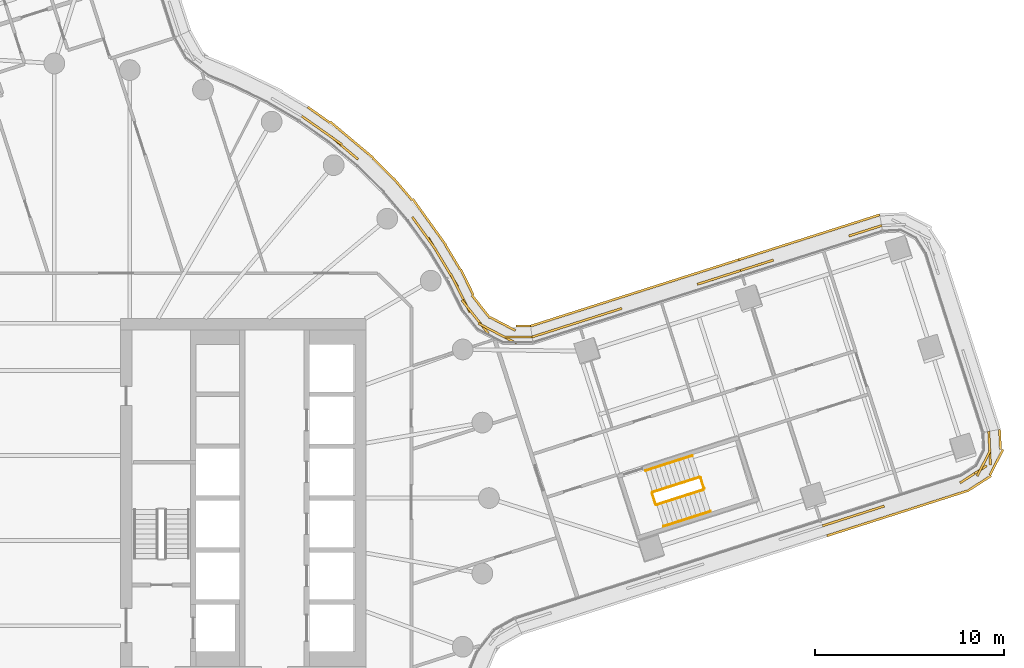
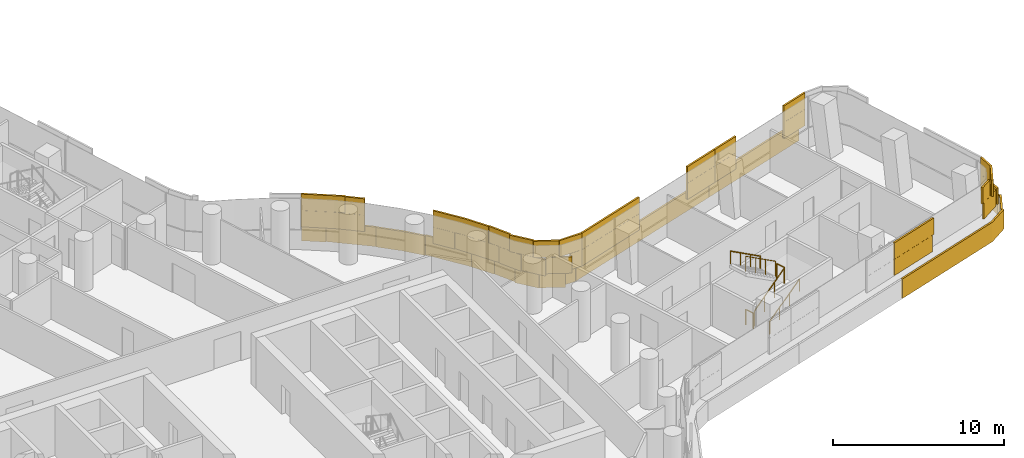
# One storey, part 28 of 30: 6 railings, 4 coverings.
"""IFC4 building model written with IfcOpenShell, lengths in metres."""

from ifc_helpers import new_model, si_unit, direction, frame, origin, origin_2d, place, context, subcontext, project, spatial, rectangle, circle, extrude, material, layer, layer_set, type_object, element, save


model = new_model("IFC4")

# Units and contexts
model_context = context("Model", 3, precision=1e-05, world=origin(), true_north=direction((0.0, 1.0)))
body_context = subcontext(model_context, "Body", "Model", "MODEL_VIEW")
ifc_project = project(units=[si_unit("LENGTHUNIT", "METRE"), si_unit("AREAUNIT", "SQUARE_METRE"), si_unit("VOLUMEUNIT", "CUBIC_METRE"), si_unit("PLANEANGLEUNIT", "RADIAN"), si_unit("MASSUNIT", "GRAM", prefix="KILO")], contexts=[model_context])

# Site, building, storey
site_placement = place(None, origin())
site = spatial("IfcSite", under=ifc_project, at=site_placement, CompositionType="ELEMENT")
building_placement = place(site_placement, origin())
building = spatial("IfcBuilding", under=site, at=building_placement, Name="Tamarind Cross Interchange Tower", CompositionType="ELEMENT")
storey_placement = place(building_placement, frame((0.0, 0.0, 98.5)))
storey = spatial("IfcBuildingStorey", under=building, at=storey_placement, Name="L23", CompositionType="ELEMENT", Elevation=98.5)

# Railings
ifc_material_1 = material(Name="Stair guard")
railing_type_1 = type_object("IfcRailingType", Name="Stair guard", PredefinedType="GUARDRAIL", material=ifc_material_1)
railing_1_placement = place(storey_placement, frame((31.878662109375, -0.353271484375, 0.17041015625)))
element("IfcRailing", 1, at=railing_1_placement, inside=storey, type_object=railing_type_1, Name="L23 ST3 stair guard 1", PredefinedType="GUARDRAIL", context=body_context, shape_type="SweptSolid", body=[
    extrude(circle(Radius=0.02392578125, at=origin_2d()), frame((0.0, 0.0, 1.076171875), z_axis=(0.796426546061, 0.255136052864, 0.548279446322), x_axis=(-0.305078942459, 0.952327065072, 0.0)), (0.0, 0.0, 1.0), 3.10888671875),
    extrude(circle(Radius=0.02099609375, at=origin_2d()), origin(), (0.0, 0.0, 1.0), 1.052001953125),
    extrude(circle(Radius=0.02099609375, at=origin_2d()), frame((0.825439453125, 0.264404296875, 0.568115234375)), (0.0, 0.0, 1.0), 1.052001953125),
    extrude(circle(Radius=0.02099609375, at=origin_2d()), frame((1.650634765625, 0.52880859375, 1.136474609375)), (0.0, 0.0, 1.0), 1.052001953125),
    extrude(circle(Radius=0.02099609375, at=origin_2d()), frame((2.47607421875, 0.793212890625, 1.70458984375)), (0.0, 0.0, 1.0), 1.052001953125),
])
railing_2_placement = place(storey_placement, frame((34.386962890625, 0.502685546875, 1.875)))
element("IfcRailing", 2, at=railing_2_placement, inside=storey, type_object=railing_type_1, Name="L23 ST3 stair guard 2", PredefinedType="GUARDRAIL", context=body_context, shape_type="SweptSolid", body=[
    extrude(circle(Radius=0.02392578125, at=origin_2d()), frame((0.0, 0.0, 1.076171875), z_axis=(-0.304731439649, 0.95243831805, 0.0), x_axis=(-0.95243831805, -0.304731439649, 0.0)), (0.0, 0.0, 1.0), 0.60009765625),
    extrude(circle(Radius=0.02099609375, at=origin_2d()), origin(), (0.0, 0.0, 1.0), 1.052001953125),
    extrude(circle(Radius=0.02099609375, at=origin_2d()), frame((-0.182861328125, 0.571533203125, 0.0)), (0.0, 0.0, 1.0), 1.052001953125),
])
railing_3_placement = place(storey_placement, frame((34.14111328125, 1.1064453125, 2.04541015625)))
element("IfcRailing", 3, at=railing_3_placement, inside=storey, type_object=railing_type_1, Name="L23 ST3 stair guard 3", PredefinedType="GUARDRAIL", context=body_context, shape_type="SweptSolid", body=[
    extrude(circle(Radius=0.02392578125, at=origin_2d()), frame((0.0, 0.0, 1.076171875), z_axis=(-0.796426546061, -0.255136052864, 0.548279446322), x_axis=(0.305078942459, -0.952327065072, 0.0)), (0.0, 0.0, 1.0), 3.10888671875),
    extrude(circle(Radius=0.02099609375, at=origin_2d()), origin(), (0.0, 0.0, 1.0), 1.052001953125),
    extrude(circle(Radius=0.02099609375, at=origin_2d()), frame((-0.825439453125, -0.264404296875, 0.568115234375)), (0.0, 0.0, 1.0), 1.052001953125),
    extrude(circle(Radius=0.02099609375, at=origin_2d()), frame((-1.650634765625, -0.52880859375, 1.136474609375)), (0.0, 0.0, 1.0), 1.052001953125),
    extrude(circle(Radius=0.02099609375, at=origin_2d()), frame((-2.47607421875, -0.793212890625, 1.70458984375)), (0.0, 0.0, 1.0), 1.052001953125),
])
railing_4_placement = place(storey_placement, frame((31.815673828125, -0.321044921875, 0.0)))
element("IfcRailing", 4, at=railing_4_placement, inside=storey, type_object=railing_type_1, Name="L23 ST3 stair guard 4", PredefinedType="GUARDRAIL", context=body_context, shape_type="SweptSolid", body=[
    extrude(circle(Radius=0.02392578125, at=origin_2d()), frame((0.0, 0.0, 1.076171875), z_axis=(-0.304731439649, 0.95243831805, 0.0), x_axis=(-0.95243831805, -0.304731439649, 0.0)), (0.0, 0.0, 1.0), 0.60009765625),
    extrude(circle(Radius=0.02099609375, at=origin_2d()), origin(), (0.0, 0.0, 1.0), 1.052001953125),
    extrude(circle(Radius=0.02099609375, at=origin_2d()), frame((-0.182861328125, 0.571533203125, 0.0)), (0.0, 0.0, 1.0), 1.052001953125),
])
ifc_material_2 = material(Name="Stair handrail")
railing_type_2 = type_object("IfcRailingType", Name="Stair handrail", PredefinedType="HANDRAIL", material=ifc_material_2)
railing_5_placement = place(storey_placement, frame((32.24462890625, -1.49609375, 0.17041015625)))
element("IfcRailing", 5, at=railing_5_placement, inside=storey, type_object=railing_type_2, Name="L23 ST3 stair handrail 1", PredefinedType="HANDRAIL", context=body_context, shape_type="SweptSolid", body=[
    extrude(circle(Radius=0.02392578125, at=origin_2d()), frame((0.0, 0.0, 0.8759765625), z_axis=(0.796426546061, 0.255136052864, 0.548279446322), x_axis=(-0.305078942459, 0.952327065072, 0.0)), (0.0, 0.0, 1.0), 3.10888671875),
    extrude(circle(Radius=0.02099609375, at=origin_2d()), origin(), (0.0, 0.0, 1.0), 0.851806640625),
    extrude(circle(Radius=0.02099609375, at=origin_2d()), frame((0.825439453125, 0.264404296875, 0.568115234375)), (0.0, 0.0, 1.0), 0.851806640625),
    extrude(circle(Radius=0.02099609375, at=origin_2d()), frame((1.650634765625, 0.52880859375, 1.136474609375)), (0.0, 0.0, 1.0), 0.851806640625),
    extrude(circle(Radius=0.02099609375, at=origin_2d()), frame((2.47607421875, 0.793212890625, 1.70458984375)), (0.0, 0.0, 1.0), 0.851806640625),
])
railing_6_placement = place(storey_placement, frame((33.775146484375, 2.249267578125, 2.04541015625)))
element("IfcRailing", 6, at=railing_6_placement, inside=storey, type_object=railing_type_2, Name="L23 ST3 stair handrail 2", PredefinedType="HANDRAIL", context=body_context, shape_type="SweptSolid", body=[
    extrude(circle(Radius=0.02392578125, at=origin_2d()), frame((0.0, 0.0, 0.8759765625), z_axis=(-0.796426546061, -0.255136052864, 0.548279446322), x_axis=(0.305078942459, -0.952327065072, 0.0)), (0.0, 0.0, 1.0), 3.10888671875),
    extrude(circle(Radius=0.02099609375, at=origin_2d()), origin(), (0.0, 0.0, 1.0), 0.851806640625),
    extrude(circle(Radius=0.02099609375, at=origin_2d()), frame((-0.825439453125, -0.264404296875, 0.568115234375)), (0.0, 0.0, 1.0), 0.851806640625),
    extrude(circle(Radius=0.02099609375, at=origin_2d()), frame((-1.650634765625, -0.52880859375, 1.136474609375)), (0.0, 0.0, 1.0), 0.851806640625),
    extrude(circle(Radius=0.02099609375, at=origin_2d()), frame((-2.47607421875, -0.793212890625, 1.70458984375)), (0.0, 0.0, 1.0), 0.851806640625),
])

# Coverings
ifc_material_3 = material(Name="Terracotta", Category="masonry")
ifc_layer = layer(ifc_material_3, 0.1201171875)
ifc_layer_set = layer_set([ifc_layer], Name="Terracotta")
covering_type = type_object("IfcCoveringType", Name="Terracotta baguette screen unit", PredefinedType="MOLDING", material=ifc_layer_set)
covering_1_placement = place(storey_placement, origin())
element("IfcCovering", 7, at=covering_1_placement, inside=storey, type_object=covering_type, Name="SCR-L23-01-00", PredefinedType="MOLDING", context=body_context, shape_type="SweptSolid", body=[
    extrude(rectangle(XDim=0.760009765625, YDim=0.1201171875, at=origin_2d()), frame((43.42529296875, 14.308349609375, 1.404052734375), z_axis=(0.0, 0.0, 1.0), x_axis=(-0.952773264992, -0.303682573614, 0.0)), (0.0, 0.0, 1.0), 1.1669921875),
    extrude(rectangle(XDim=1.075439453125, YDim=0.1201171875, at=origin_2d()), frame((42.560302734375, 14.03271484375, 1.404052734375), z_axis=(0.0, 0.0, 1.0), x_axis=(-0.952773264992, -0.303682573614, 0.0)), (0.0, 0.0, 1.0), 1.1669921875),
    extrude(rectangle(XDim=0.744384765625, YDim=0.1201171875, at=origin_2d()), frame((37.701171875, 12.484130859375, 1.404052734375), z_axis=(0.0, 0.0, 1.0), x_axis=(-0.952773264992, -0.303682573614, 0.0)), (0.0, 0.0, 1.0), 1.1669921875),
    extrude(rectangle(XDim=1.091064453125, YDim=0.1201171875, at=origin_2d()), frame((36.836181640625, 12.208251953125, 1.404052734375), z_axis=(0.0, 0.0, 1.0), x_axis=(-0.952773264992, -0.303682573614, 0.0)), (0.0, 0.0, 1.0), 1.1669921875),
    extrude(rectangle(XDim=1.510009765625, YDim=0.1201171875, at=origin_2d()), frame((43.06787109375, 14.194580078125, 2.5791015625), z_axis=(0.0, 0.0, 1.0), x_axis=(-0.952773264992, -0.303682573614, 0.0)), (0.0, 0.0, 1.0), 1.1669921875),
    extrude(rectangle(XDim=0.325439453125, YDim=0.1201171875, at=origin_2d()), frame((42.203125, 13.9189453125, 2.5791015625), z_axis=(0.0, 0.0, 1.0), x_axis=(-0.952773264992, -0.303682573614, 0.0)), (0.0, 0.0, 1.0), 1.1669921875),
    extrude(rectangle(XDim=1.494384765625, YDim=0.1201171875, at=origin_2d()), frame((37.343994140625, 12.3701171875, 2.5791015625), z_axis=(0.0, 0.0, 1.0), x_axis=(-0.952773264992, -0.303682573614, 0.0)), (0.0, 0.0, 1.0), 1.1669921875),
    extrude(rectangle(XDim=0.341064453125, YDim=0.1201171875, at=origin_2d()), frame((36.47900390625, 12.094482421875, 2.5791015625), z_axis=(0.0, 0.0, 1.0), x_axis=(-0.952773264992, -0.303682573614, 0.0)), (0.0, 0.0, 1.0), 1.1669921875),
    extrude(rectangle(XDim=0.760009765625, YDim=0.1201171875, at=origin_2d()), frame((43.317626953125, 14.876708984375, 0.00390625), z_axis=(0.0, 0.0, 1.0), x_axis=(-0.952773264992, -0.303682573614, 0.0)), (0.0, 0.0, 1.0), 1.39208984375),
    extrude(rectangle(XDim=1.52001953125, YDim=0.1201171875, at=origin_2d()), frame((42.25048828125, 14.53662109375, 0.00390625), z_axis=(0.0, 0.0, 1.0), x_axis=(-0.952773264992, -0.303682573614, 0.0)), (0.0, 0.0, 1.0), 1.39208984375),
    extrude(rectangle(XDim=1.52001953125, YDim=0.1201171875, at=origin_2d()), frame((40.821533203125, 14.0810546875, 0.00390625), z_axis=(0.0, 0.0, 1.0), x_axis=(-0.952773264992, -0.303682573614, 0.0)), (0.0, 0.0, 1.0), 1.39208984375),
    extrude(rectangle(XDim=1.52001953125, YDim=0.1201171875, at=origin_2d()), frame((39.392333984375, 13.62548828125, 0.00390625), z_axis=(0.0, 0.0, 1.0), x_axis=(-0.952773264992, -0.303682573614, 0.0)), (0.0, 0.0, 1.0), 1.39208984375),
    extrude(rectangle(XDim=1.52001953125, YDim=0.1201171875, at=origin_2d()), frame((37.963134765625, 13.169921875, 0.00390625), z_axis=(0.0, 0.0, 1.0), x_axis=(-0.952773264992, -0.303682573614, 0.0)), (0.0, 0.0, 1.0), 1.39208984375),
    extrude(rectangle(XDim=1.085205078125, YDim=0.1201171875, at=origin_2d()), frame((36.740966796875, 12.780517578125, 0.00390625), z_axis=(0.0, 0.0, 1.0), x_axis=(-0.952773264992, -0.303682573614, 0.0)), (0.0, 0.0, 1.0), 1.39208984375),
])
covering_2_placement = place(storey_placement, origin())
element("IfcCovering", 8, at=covering_2_placement, inside=storey, type_object=covering_type, Name="SCR-L23-01-01", PredefinedType="MOLDING", context=body_context, shape_type="SweptSolid", body=[
    extrude(rectangle(XDim=0.428955078125, YDim=0.1201171875, at=origin_2d()), frame((36.121826171875, 11.98046875, 1.404052734375), z_axis=(0.0, 0.0, 1.0), x_axis=(-0.952773264992, -0.303682573614, 0.0)), (0.0, 0.0, 1.0), 1.1669921875),
    extrude(rectangle(XDim=1.52001953125, YDim=0.1201171875, at=origin_2d()), frame((35.20751953125, 11.689208984375, 1.404052734375), z_axis=(0.0, 0.0, 1.0), x_axis=(-0.952773264992, -0.303682573614, 0.0)), (0.0, 0.0, 1.0), 1.1669921875),
    extrude(rectangle(XDim=0.490478515625, YDim=0.1201171875, at=origin_2d()), frame((34.26416015625, 11.388427734375, 1.404052734375), z_axis=(0.0, 0.0, 1.0), x_axis=(-0.952773264992, -0.303682573614, 0.0)), (0.0, 0.0, 1.0), 1.1669921875),
    extrude(rectangle(XDim=1.32958984375, YDim=0.1201171875, at=origin_2d()), frame((29.40478515625, 9.839599609375, 1.404052734375), z_axis=(0.0, 0.0, 1.0), x_axis=(-0.952773264992, -0.303682573614, 0.0)), (0.0, 0.0, 1.0), 1.1669921875),
    extrude(rectangle(XDim=1.52001953125, YDim=0.1201171875, at=origin_2d()), frame((28.061767578125, 9.41162109375, 1.404052734375), z_axis=(0.0, 0.0, 1.0), x_axis=(-0.952773264992, -0.303682573614, 0.0)), (0.0, 0.0, 1.0), 1.1669921875),
    extrude(rectangle(XDim=1.52001953125, YDim=0.1201171875, at=origin_2d()), frame((26.632568359375, 8.9560546875, 1.404052734375), z_axis=(0.0, 0.0, 1.0), x_axis=(-0.952773264992, -0.303682573614, 0.0)), (0.0, 0.0, 1.0), 1.1669921875),
    extrude(rectangle(XDim=0.67138671875, YDim=0.1201171875, at=origin_2d()), frame((25.602783203125, 8.6279296875, 1.404052734375), z_axis=(0.0, 0.0, 1.0), x_axis=(-0.952773264992, -0.303682573614, 0.0)), (0.0, 0.0, 1.0), 1.1669921875),
    extrude(rectangle(XDim=1.178955078125, YDim=0.1201171875, at=origin_2d()), frame((35.764404296875, 11.86669921875, 2.5791015625), z_axis=(0.0, 0.0, 1.0), x_axis=(-0.952773264992, -0.303682573614, 0.0)), (0.0, 0.0, 1.0), 1.1669921875),
    extrude(rectangle(XDim=1.240478515625, YDim=0.1201171875, at=origin_2d()), frame((34.621337890625, 11.50244140625, 2.5791015625), z_axis=(0.0, 0.0, 1.0), x_axis=(-0.952773264992, -0.303682573614, 0.0)), (0.0, 0.0, 1.0), 1.1669921875),
    extrude(rectangle(XDim=0.57958984375, YDim=0.1201171875, at=origin_2d()), frame((29.76220703125, 9.95361328125, 2.5791015625), z_axis=(0.0, 0.0, 1.0), x_axis=(-0.952773264992, -0.303682573614, 0.0)), (0.0, 0.0, 1.0), 1.1669921875),
    extrude(rectangle(XDim=1.52001953125, YDim=0.1201171875, at=origin_2d()), frame((28.7763671875, 9.639404296875, 2.5791015625), z_axis=(0.0, 0.0, 1.0), x_axis=(-0.952773264992, -0.303682573614, 0.0)), (0.0, 0.0, 1.0), 1.1669921875),
    extrude(rectangle(XDim=1.52001953125, YDim=0.1201171875, at=origin_2d()), frame((27.34716796875, 9.183837890625, 2.5791015625), z_axis=(0.0, 0.0, 1.0), x_axis=(-0.952773264992, -0.303682573614, 0.0)), (0.0, 0.0, 1.0), 1.1669921875),
    extrude(rectangle(XDim=1.42138671875, YDim=0.1201171875, at=origin_2d()), frame((25.960205078125, 8.74169921875, 2.5791015625), z_axis=(0.0, 0.0, 1.0), x_axis=(-0.952773264992, -0.303682573614, 0.0)), (0.0, 0.0, 1.0), 1.1669921875),
    extrude(rectangle(XDim=0.434814453125, YDim=0.1201171875, at=origin_2d()), frame((36.016845703125, 12.549560546875, 0.00390625), z_axis=(0.0, 0.0, 1.0), x_axis=(-0.952773264992, -0.303682573614, 0.0)), (0.0, 0.0, 1.0), 1.39208984375),
    extrude(rectangle(XDim=1.52001953125, YDim=0.1201171875, at=origin_2d()), frame((35.104736328125, 12.2587890625, 0.00390625), z_axis=(0.0, 0.0, 1.0), x_axis=(-0.952773264992, -0.303682573614, 0.0)), (0.0, 0.0, 1.0), 1.39208984375),
    extrude(rectangle(XDim=1.52001953125, YDim=0.1201171875, at=origin_2d()), frame((33.675537109375, 11.803466796875, 0.00390625), z_axis=(0.0, 0.0, 1.0), x_axis=(-0.952773264992, -0.303682573614, 0.0)), (0.0, 0.0, 1.0), 1.39208984375),
    extrude(rectangle(XDim=1.52001953125, YDim=0.1201171875, at=origin_2d()), frame((32.24658203125, 11.347900390625, 0.00390625), z_axis=(0.0, 0.0, 1.0), x_axis=(-0.952773264992, -0.303682573614, 0.0)), (0.0, 0.0, 1.0), 1.39208984375),
    extrude(rectangle(XDim=1.52001953125, YDim=0.1201171875, at=origin_2d()), frame((30.8173828125, 10.892333984375, 0.00390625), z_axis=(0.0, 0.0, 1.0), x_axis=(-0.952773264992, -0.303682573614, 0.0)), (0.0, 0.0, 1.0), 1.39208984375),
    extrude(rectangle(XDim=1.52001953125, YDim=0.1201171875, at=origin_2d()), frame((29.38818359375, 10.436767578125, 0.00390625), z_axis=(0.0, 0.0, 1.0), x_axis=(-0.952773264992, -0.303682573614, 0.0)), (0.0, 0.0, 1.0), 1.39208984375),
    extrude(rectangle(XDim=1.52001953125, YDim=0.1201171875, at=origin_2d()), frame((27.958984375, 9.981201171875, 0.00390625), z_axis=(0.0, 0.0, 1.0), x_axis=(-0.952773264992, -0.303682573614, 0.0)), (0.0, 0.0, 1.0), 1.39208984375),
    extrude(rectangle(XDim=1.52001953125, YDim=0.1201171875, at=origin_2d()), frame((26.52978515625, 9.52587890625, 0.00390625), z_axis=(0.0, 0.0, 1.0), x_axis=(-0.952773264992, -0.303682573614, 0.0)), (0.0, 0.0, 1.0), 1.39208984375),
    extrude(rectangle(XDim=0.657470703125, YDim=0.1201171875, at=origin_2d()), frame((25.51171875, 9.201171875, 0.00390625), z_axis=(0.0, 0.0, 1.0), x_axis=(-0.952773264992, -0.303682573614, 0.0)), (0.0, 0.0, 1.0), 1.39208984375),
])
covering_3_placement = place(storey_placement, origin())
element("IfcCovering", 9, at=covering_3_placement, inside=storey, type_object=covering_type, Name="SCR-L23-02-00", PredefinedType="MOLDING", context=body_context, shape_type="SweptSolid", body=[
    extrude(rectangle(XDim=0.760009765625, YDim=0.1201171875, at=origin_2d()), frame((24.912841796875, 8.52734375, 1.404052734375), z_axis=(0.0, 0.0, 1.0), x_axis=(-0.999999992116, 0.000125567468, 0.0)), (0.0, 0.0, 1.0), 1.1669921875),
    extrude(rectangle(XDim=1.52001953125, YDim=0.1201171875, at=origin_2d()), frame((23.790771484375, 8.539794921875, 1.404052734375), z_axis=(0.0, 0.0, 1.0), x_axis=(-0.886196460063, 0.463309652578, 0.0)), (0.0, 0.0, 1.0), 1.1669921875),
    extrude(rectangle(XDim=1.52001953125, YDim=0.1201171875, at=origin_2d()), frame((22.50830078125, 9.291259765625, 1.404052734375), z_axis=(0.0, 0.0, 1.0), x_axis=(-0.621507178412, 0.783408467648, 0.0)), (0.0, 0.0, 1.0), 1.1669921875),
    extrude(rectangle(XDim=1.52001953125, YDim=0.1201171875, at=origin_2d()), frame((21.649658203125, 10.51318359375, 1.404052734375), z_axis=(0.0, 0.0, 1.0), x_axis=(-0.444031237389, 0.896011305856, 0.0)), (0.0, 0.0, 1.0), 1.1669921875),
    extrude(rectangle(XDim=1.52001953125, YDim=0.1201171875, at=origin_2d()), frame((20.95947265625, 11.843994140625, 1.404052734375), z_axis=(0.0, 0.0, 1.0), x_axis=(-0.515577308909, 0.856843065292, 0.0)), (0.0, 0.0, 1.0), 1.1669921875),
    extrude(rectangle(XDim=1.52001953125, YDim=0.1201171875, at=origin_2d()), frame((20.18603515625, 13.129150390625, 1.404052734375), z_axis=(0.0, 0.0, 1.0), x_axis=(-0.515577308909, 0.856843065292, 0.0)), (0.0, 0.0, 1.0), 1.1669921875),
    extrude(rectangle(XDim=1.400390625, YDim=0.1201171875, at=origin_2d()), frame((19.351806640625, 14.30859375, 1.404052734375), z_axis=(0.0, 0.0, 1.0), x_axis=(-0.584573890505, 0.811340475102, 0.0)), (0.0, 0.0, 1.0), 1.1669921875),
    extrude(rectangle(XDim=0.419677734375, YDim=0.1201171875, at=origin_2d()), frame((15.9150390625, 18.060791015625, 1.404052734375), z_axis=(0.0, 0.0, 1.0), x_axis=(-0.765858396687, 0.643009266048, 0.0)), (0.0, 0.0, 1.0), 1.1669921875),
    extrude(rectangle(XDim=1.52001953125, YDim=0.1201171875, at=origin_2d()), frame((15.183837890625, 18.674560546875, 1.404052734375), z_axis=(0.0, 0.0, 1.0), x_axis=(-0.765858396687, 0.643009266048, 0.0)), (0.0, 0.0, 1.0), 1.1669921875),
    extrude(rectangle(XDim=1.52001953125, YDim=0.1201171875, at=origin_2d()), frame((13.990478515625, 19.581298828125, 1.404052734375), z_axis=(0.0, 0.0, 1.0), x_axis=(-0.816341886298, 0.577568978284, 0.0)), (0.0, 0.0, 1.0), 1.1669921875),
    extrude(rectangle(XDim=0.3505859375, YDim=0.1201171875, at=origin_2d()), frame((13.239013671875, 20.11279296875, 1.404052734375), z_axis=(0.0, 0.0, 1.0), x_axis=(-0.816341886298, 0.577568978284, 0.0)), (0.0, 0.0, 1.0), 1.1669921875),
    extrude(rectangle(XDim=1.510009765625, YDim=0.1201171875, at=origin_2d()), frame((24.537841796875, 8.527587890625, 2.5791015625), z_axis=(0.0, 0.0, 1.0), x_axis=(-0.999999992116, 0.000125567468, 0.0)), (0.0, 0.0, 1.0), 1.1669921875),
    extrude(rectangle(XDim=1.52001953125, YDim=0.1201171875, at=origin_2d()), frame((23.1259765625, 8.88720703125, 2.5791015625), z_axis=(0.0, 0.0, 1.0), x_axis=(-0.886196460063, 0.463309652578, 0.0)), (0.0, 0.0, 1.0), 1.1669921875),
    extrude(rectangle(XDim=1.52001953125, YDim=0.1201171875, at=origin_2d()), frame((22.0419921875, 9.878662109375, 2.5791015625), z_axis=(0.0, 0.0, 1.0), x_axis=(-0.621507178412, 0.783408467648, 0.0)), (0.0, 0.0, 1.0), 1.1669921875),
    extrude(rectangle(XDim=1.52001953125, YDim=0.1201171875, at=origin_2d()), frame((21.316650390625, 11.18505859375, 2.5791015625), z_axis=(0.0, 0.0, 1.0), x_axis=(-0.444031237389, 0.896011305856, 0.0)), (0.0, 0.0, 1.0), 1.1669921875),
    extrude(rectangle(XDim=1.52001953125, YDim=0.1201171875, at=origin_2d()), frame((20.57275390625, 12.486572265625, 2.5791015625), z_axis=(0.0, 0.0, 1.0), x_axis=(-0.515577308909, 0.856843065292, 0.0)), (0.0, 0.0, 1.0), 1.1669921875),
    extrude(rectangle(XDim=1.52001953125, YDim=0.1201171875, at=origin_2d()), frame((19.75830078125, 13.74462890625, 2.5791015625), z_axis=(0.0, 0.0, 1.0), x_axis=(-0.584573890505, 0.811340475102, 0.0)), (0.0, 0.0, 1.0), 1.1669921875),
    extrude(rectangle(XDim=0.650390625, YDim=0.1201171875, at=origin_2d()), frame((19.132568359375, 14.613037109375, 2.5791015625), z_axis=(0.0, 0.0, 1.0), x_axis=(-0.584573890505, 0.811340475102, 0.0)), (0.0, 0.0, 1.0), 1.1669921875),
    extrude(rectangle(XDim=1.169677734375, YDim=0.1201171875, at=origin_2d()), frame((15.6279296875, 18.3017578125, 2.5791015625), z_axis=(0.0, 0.0, 1.0), x_axis=(-0.765858396687, 0.643009266048, 0.0)), (0.0, 0.0, 1.0), 1.1669921875),
    extrude(rectangle(XDim=1.52001953125, YDim=0.1201171875, at=origin_2d()), frame((14.6025390625, 19.148193359375, 2.5791015625), z_axis=(0.0, 0.0, 1.0), x_axis=(-0.816341886298, 0.577568978284, 0.0)), (0.0, 0.0, 1.0), 1.1669921875),
    extrude(rectangle(XDim=1.1005859375, YDim=0.1201171875, at=origin_2d()), frame((13.545166015625, 19.896240234375, 2.5791015625), z_axis=(0.0, 0.0, 1.0), x_axis=(-0.816341886298, 0.577568978284, 0.0)), (0.0, 0.0, 1.0), 1.1669921875),
    extrude(rectangle(XDim=0.760009765625, YDim=0.1201171875, at=origin_2d()), frame((24.818603515625, 9.1015625, 0.00390625), z_axis=(0.0, 0.0, 1.0), x_axis=(-0.999999992116, 0.000125567468, 0.0)), (0.0, 0.0, 1.0), 1.39208984375),
    extrude(rectangle(XDim=1.52001953125, YDim=0.1201171875, at=origin_2d()), frame((23.727783203125, 9.220458984375, 0.00390625), z_axis=(0.0, 0.0, 1.0), x_axis=(-0.886196460063, 0.463309652578, 0.0)), (0.0, 0.0, 1.0), 1.39208984375),
    extrude(rectangle(XDim=1.52001953125, YDim=0.1201171875, at=origin_2d()), frame((22.57568359375, 10.129638671875, 0.00390625), z_axis=(0.0, 0.0, 1.0), x_axis=(-0.621507178412, 0.783408467648, 0.0)), (0.0, 0.0, 1.0), 1.39208984375),
    extrude(rectangle(XDim=1.52001953125, YDim=0.1201171875, at=origin_2d()), frame((21.837158203125, 11.427734375, 0.00390625), z_axis=(0.0, 0.0, 1.0), x_axis=(-0.444031237389, 0.896011305856, 0.0)), (0.0, 0.0, 1.0), 1.39208984375),
    extrude(rectangle(XDim=1.52001953125, YDim=0.1201171875, at=origin_2d()), frame((21.095947265625, 12.73046875, 0.00390625), z_axis=(0.0, 0.0, 1.0), x_axis=(-0.515577308909, 0.856843065292, 0.0)), (0.0, 0.0, 1.0), 1.39208984375),
    extrude(rectangle(XDim=1.52001953125, YDim=0.1201171875, at=origin_2d()), frame((20.287109375, 13.992431640625, 0.00390625), z_axis=(0.0, 0.0, 1.0), x_axis=(-0.584573890505, 0.811340475102, 0.0)), (0.0, 0.0, 1.0), 1.39208984375),
    extrude(rectangle(XDim=1.52001953125, YDim=0.1201171875, at=origin_2d()), frame((19.410400390625, 15.20947265625, 0.00390625), z_axis=(0.0, 0.0, 1.0), x_axis=(-0.584573890505, 0.811340475102, 0.0)), (0.0, 0.0, 1.0), 1.39208984375),
    extrude(rectangle(XDim=1.52001953125, YDim=0.1201171875, at=origin_2d()), frame((18.4375, 16.351318359375, 0.00390625), z_axis=(0.0, 0.0, 1.0), x_axis=(-0.64957723968, 0.760295606781, 0.0)), (0.0, 0.0, 1.0), 1.39208984375),
    extrude(rectangle(XDim=1.52001953125, YDim=0.1201171875, at=origin_2d()), frame((17.406494140625, 17.439208984375, 0.00390625), z_axis=(0.0, 0.0, 1.0), x_axis=(-0.710143317658, 0.704057148523, 0.0)), (0.0, 0.0, 1.0), 1.39208984375),
    extrude(rectangle(XDim=1.52001953125, YDim=0.1201171875, at=origin_2d()), frame((16.319091796875, 18.470947265625, 0.00390625), z_axis=(0.0, 0.0, 1.0), x_axis=(-0.765858396687, 0.643009266048, 0.0)), (0.0, 0.0, 1.0), 1.39208984375),
    extrude(rectangle(XDim=1.52001953125, YDim=0.1201171875, at=origin_2d()), frame((15.17041015625, 19.435302734375, 0.00390625), z_axis=(0.0, 0.0, 1.0), x_axis=(-0.765858396687, 0.643009266048, 0.0)), (0.0, 0.0, 1.0), 1.39208984375),
    extrude(rectangle(XDim=1.422119140625, YDim=0.1201171875, at=origin_2d()), frame((13.992919921875, 20.28271484375, 0.00390625), z_axis=(0.0, 0.0, 1.0), x_axis=(-0.816341886298, 0.577568978284, 0.0)), (0.0, 0.0, 1.0), 1.39208984375),
])
covering_4_placement = place(storey_placement, origin())
element("IfcCovering", 10, at=covering_4_placement, inside=storey, type_object=covering_type, Name="SCR-L23-15-02", PredefinedType="MOLDING", context=body_context, shape_type="SweptSolid", body=[
    extrude(rectangle(XDim=0.30224609375, YDim=0.1201171875, at=origin_2d()), frame((40.787841796875, -1.426513671875, 1.404052734375), z_axis=(0.0, 0.0, 1.0), x_axis=(0.95233405785, 0.305057113111, 0.0)), (0.0, 0.0, 1.0), 1.1669921875),
    extrude(rectangle(XDim=1.52001953125, YDim=0.1201171875, at=origin_2d()), frame((41.641357421875, -1.1533203125, 1.404052734375), z_axis=(0.0, 0.0, 1.0), x_axis=(0.95233405785, 0.305057113111, 0.0)), (0.0, 0.0, 1.0), 1.1669921875),
    extrude(rectangle(XDim=1.52001953125, YDim=0.1201171875, at=origin_2d()), frame((43.06982421875, -0.69580078125, 1.404052734375), z_axis=(0.0, 0.0, 1.0), x_axis=(0.95233405785, 0.305057113111, 0.0)), (0.0, 0.0, 1.0), 1.1669921875),
    extrude(rectangle(XDim=1.52001953125, YDim=0.1201171875, at=origin_2d()), frame((48.704833984375, 1.30224609375, 1.404052734375), z_axis=(0.0, 0.0, 1.0), x_axis=(0.840929471014, 0.541144735519, 0.0)), (0.0, 0.0, 1.0), 1.1669921875),
    extrude(rectangle(XDim=1.52001953125, YDim=0.1201171875, at=origin_2d()), frame((49.502197265625, 2.515869140625, 1.404052734375), z_axis=(0.0, 0.0, 1.0), x_axis=(-0.048180352576, 0.998838652449, 0.0)), (0.0, 0.0, 1.0), 1.1669921875),
    extrude(rectangle(XDim=0.276611328125, YDim=0.1201171875, at=origin_2d()), frame((49.459716796875, 3.398193359375, 1.404052734375), z_axis=(0.0, 0.0, 1.0), x_axis=(-0.048180352576, 0.998838652449, 0.0)), (0.0, 0.0, 1.0), 1.1669921875),
    extrude(rectangle(XDim=1.05224609375, YDim=0.1201171875, at=origin_2d()), frame((41.14501953125, -1.312255859375, 2.5791015625), z_axis=(0.0, 0.0, 1.0), x_axis=(0.95233405785, 0.305057113111, 0.0)), (0.0, 0.0, 1.0), 1.1669921875),
    extrude(rectangle(XDim=1.52001953125, YDim=0.1201171875, at=origin_2d()), frame((42.35546875, -0.924560546875, 2.5791015625), z_axis=(0.0, 0.0, 1.0), x_axis=(0.95233405785, 0.305057113111, 0.0)), (0.0, 0.0, 1.0), 1.1669921875),
    extrude(rectangle(XDim=0.897216796875, YDim=0.1201171875, at=origin_2d()), frame((43.4921875, -0.560302734375, 2.5791015625), z_axis=(0.0, 0.0, 1.0), x_axis=(0.95233405785, 0.305057113111, 0.0)), (0.0, 0.0, 1.0), 1.1669921875),
    extrude(rectangle(XDim=0.9228515625, YDim=0.1201171875, at=origin_2d()), frame((48.32080078125, 1.05517578125, 2.5791015625), z_axis=(0.0, 0.0, 1.0), x_axis=(0.840929471014, 0.541144735519, 0.0)), (0.0, 0.0, 1.0), 1.1669921875),
    extrude(rectangle(XDim=1.52001953125, YDim=0.1201171875, at=origin_2d()), frame((49.186767578125, 1.843017578125, 2.5791015625), z_axis=(0.0, 0.0, 1.0), x_axis=(0.45769391693, 0.889109823591, 0.0)), (0.0, 0.0, 1.0), 1.1669921875),
    extrude(rectangle(XDim=1.026611328125, YDim=0.1201171875, at=origin_2d()), frame((49.477783203125, 3.023681640625, 2.5791015625), z_axis=(0.0, 0.0, 1.0), x_axis=(-0.048180352576, 0.998838652449, 0.0)), (0.0, 0.0, 1.0), 1.1669921875),
    extrude(rectangle(XDim=0.290283203125, YDim=0.1201171875, at=origin_2d()), frame((41.02880859375, -1.9521484375, 0.00390625), z_axis=(0.0, 0.0, 1.0), x_axis=(0.95233405785, 0.305057113111, 0.0)), (0.0, 0.0, 1.0), 1.39208984375),
    extrude(rectangle(XDim=1.52001953125, YDim=0.1201171875, at=origin_2d()), frame((41.871826171875, -1.68212890625, 0.00390625), z_axis=(0.0, 0.0, 1.0), x_axis=(0.95233405785, 0.305057113111, 0.0)), (0.0, 0.0, 1.0), 1.39208984375),
    extrude(rectangle(XDim=1.52001953125, YDim=0.1201171875, at=origin_2d()), frame((43.30029296875, -1.224609375, 0.00390625), z_axis=(0.0, 0.0, 1.0), x_axis=(0.95233405785, 0.305057113111, 0.0)), (0.0, 0.0, 1.0), 1.39208984375),
    extrude(rectangle(XDim=1.52001953125, YDim=0.1201171875, at=origin_2d()), frame((44.728759765625, -0.76708984375, 0.00390625), z_axis=(0.0, 0.0, 1.0), x_axis=(0.95233405785, 0.305057113111, 0.0)), (0.0, 0.0, 1.0), 1.39208984375),
    extrude(rectangle(XDim=1.52001953125, YDim=0.1201171875, at=origin_2d()), frame((46.1572265625, -0.309326171875, 0.00390625), z_axis=(0.0, 0.0, 1.0), x_axis=(0.95233405785, 0.305057113111, 0.0)), (0.0, 0.0, 1.0), 1.39208984375),
    extrude(rectangle(XDim=1.52001953125, YDim=0.1201171875, at=origin_2d()), frame((47.585693359375, 0.148193359375, 0.00390625), z_axis=(0.0, 0.0, 1.0), x_axis=(0.95233405785, 0.305057113111, 0.0)), (0.0, 0.0, 1.0), 1.39208984375),
    extrude(rectangle(XDim=1.52001953125, YDim=0.1201171875, at=origin_2d()), frame((48.937255859375, 0.76904296875, 0.00390625), z_axis=(0.0, 0.0, 1.0), x_axis=(0.840929471014, 0.541144735519, 0.0)), (0.0, 0.0, 1.0), 1.39208984375),
    extrude(rectangle(XDim=1.52001953125, YDim=0.1201171875, at=origin_2d()), frame((49.85693359375, 1.89111328125, 0.00390625), z_axis=(0.0, 0.0, 1.0), x_axis=(0.45769391693, 0.889109823591, 0.0)), (0.0, 0.0, 1.0), 1.39208984375),
    extrude(rectangle(XDim=1.060302734375, YDim=0.1201171875, at=origin_2d()), frame((50.048583984375, 3.10498046875, 0.00390625), z_axis=(0.0, 0.0, 1.0), x_axis=(-0.048180352576, 0.998838652449, 0.0)), (0.0, 0.0, 1.0), 1.39208984375),
])

save(model, "model.ifc")
